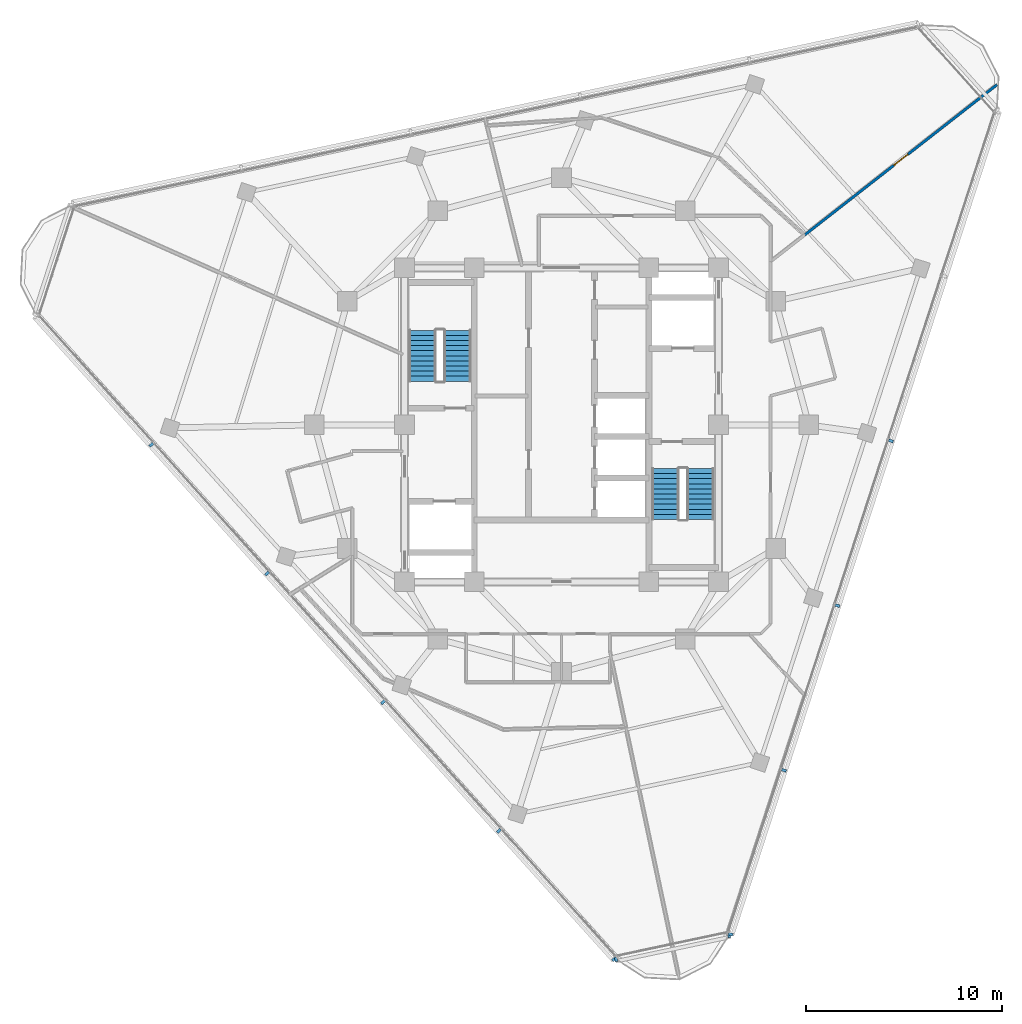
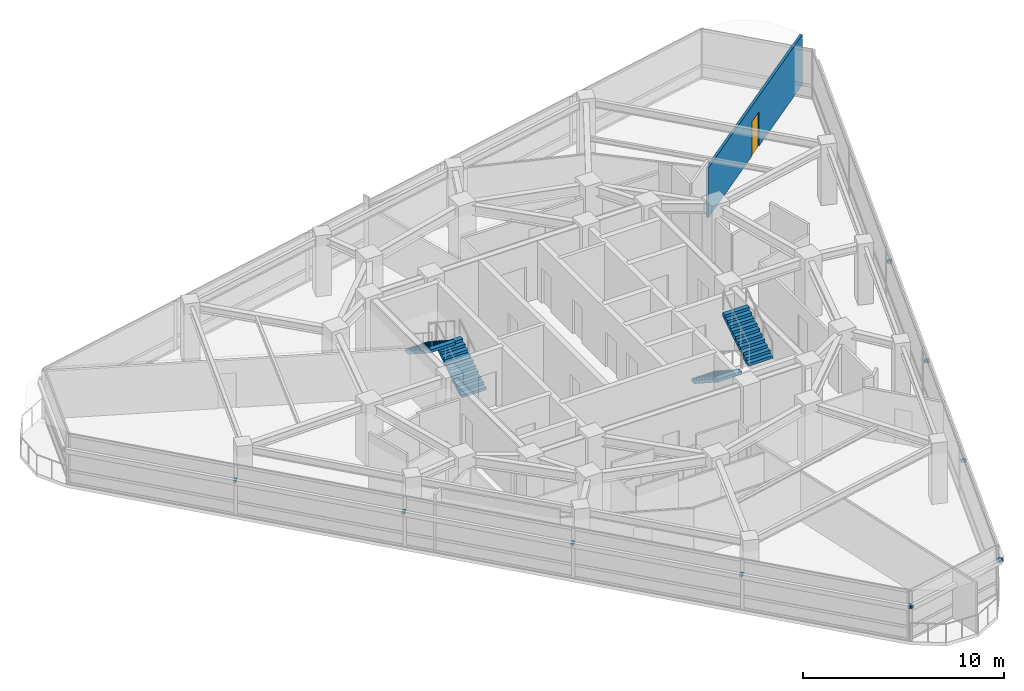
# One storey, part 10 of 15: 11 discrete accessories, 4 stair flights, 1 door, 1 wall, 1 opening, 2 elements without a shape of their own.
"""IFC4 building model written with IfcOpenShell, lengths in metres."""

from ifc_helpers import new_model, si_unit, direction, frame, frame_2d, origin, origin_2d, place, context, subcontext, project, spatial, polyline, rectangle, outline, extrude, material, layer, layer_set, type_object, element, fill, aggregate, save


model = new_model("IFC4")

# Units and contexts
model_context = context("Model", 3, precision=1e-05, world=origin(), true_north=direction((0.0, 1.0)))
body_context = subcontext(model_context, "Body", "Model", "MODEL_VIEW")
ifc_project = project(units=[si_unit("LENGTHUNIT", "METRE"), si_unit("AREAUNIT", "SQUARE_METRE"), si_unit("VOLUMEUNIT", "CUBIC_METRE"), si_unit("PLANEANGLEUNIT", "RADIAN"), si_unit("MASSUNIT", "GRAM", prefix="KILO")], contexts=[model_context])

# Site, building, storey
site_placement = place(None, origin())
site = spatial("IfcSite", under=ifc_project, at=site_placement, CompositionType="ELEMENT")
building_placement = place(site_placement, origin())
building = spatial("IfcBuilding", under=site, at=building_placement, Name="Terralouvre Media Tower", CompositionType="ELEMENT")
storey_placement = place(building_placement, frame((0.0, 0.0, 286.89990234375)))
storey = spatial("IfcBuildingStorey", under=building, at=storey_placement, Name="L74", CompositionType="ELEMENT", Elevation=286.89990234375)

# Wall, opening, door
ifc_material_1 = material(Name="Fire-rated gypsum board drywall partition")
ifc_layer = layer(ifc_material_1, 0.135009765625, Name="Newsroom Acoustic Partition PT-135")
ifc_layer_set = layer_set([ifc_layer], Name="Fire-rated gypsum board drywall partition")
wall_type = type_object("IfcWallType", Name="Newsroom Acoustic Partition PT-135", PredefinedType="PARTITIONING", material=ifc_layer_set)
wall_placement = place(storey_placement, frame((22.1923828125, 17.33837890625, 0.0), z_axis=(0.0, 0.0, 1.0), x_axis=(-0.788006224946, -0.615667271703, 0.0)))
wall = element("IfcWall", 1, at=wall_placement, inside=storey, type_object=wall_type, Name="L74 Interior Partition 028", PredefinedType="PARTITIONING", context=body_context, shape_type="SweptSolid", body=[
    extrude(rectangle(XDim=12.44091796875, YDim=0.135009765625, at=frame_2d((6.220458984375, 0.0))), origin(), (0.0, 0.0, 1.0), 3.03515625),
])
opening_placement = place(wall_placement, frame((5.760498046875, 0.0, 0.0)))
opening = element("IfcOpeningElement", 2, at=opening_placement, cuts=wall, Name="Opening ID-03-92X210", PredefinedType="OPENING", context=body_context, shape_type="SweptSolid", body=[
    extrude(rectangle(XDim=0.919921875, YDim=2.10009765625, at=frame_2d((0.4599609375, 1.050048828125))), frame((0.0, 0.077392578125, 0.0), z_axis=(0.0, -1.0, 0.0), x_axis=(1.0, 0.0, 0.0)), (0.0, 0.0, 1.0), 0.155029296875),
])
ifc_material_2 = material(Name="Engineered hardwood acoustic timber leaf", Category="wood")
door_type = type_object("IfcDoorType", Name="Accessible Restroom and Suite Door ID-03 (920x2100)", OperationType="NOTDEFINED", PredefinedType="DOOR", material=ifc_material_2)
door_placement = place(opening_placement, origin())
door = element("IfcDoor", 3, at=door_placement, inside=storey, type_object=door_type, Name="L74 Digital Editing Lecture Room 6 Door", OperationType="SINGLE_SWING_LEFT", OverallHeight=2.10009765625, OverallWidth=0.919921875, PredefinedType="DOOR", context=body_context, shape_type="SweptSolid", body=[
    extrude(rectangle(XDim=0.919921875, YDim=2.10009765625, at=frame_2d((0.4599609375, 1.050048828125))), frame((0.0, 0.02490234375, 0.0), z_axis=(0.0, -1.0, 0.0), x_axis=(1.0, 0.0, 0.0)), (0.0, 0.0, 1.0), 0.050048828125),
])
fill(opening, door)

# Stair, stair flights
ifc_material_3 = material(Name="Concrete C45/55", Category="concrete")
stair_type_1 = type_object("IfcStairType", Name="Dogleg Stair Assembly ST-01", PredefinedType="HALF_TURN_STAIR", material=ifc_material_3)
stair_1_placement = place(storey_placement, origin())
stair_1 = element("IfcStair", 4, at=stair_1_placement, inside=storey, type_object=stair_type_1, Name="L74 Core Pressurised Exit Stair ST-01", PredefinedType="HALF_TURN_STAIR")
ifc_material_4 = material(Name="Concrete C45/55", Category="concrete")
stair_flight_type = type_object("IfcStairFlightType", Name="Reinforced Concrete Stair Flight SF-RC1", PredefinedType="STRAIGHT", material=ifc_material_4)
stair_flight_1_placement = place(storey_placement, frame((-5.300048828125, 2.219970703125, 0.0), z_axis=(0.0, 0.0, 1.0), x_axis=(0.0, 1.0, 0.0)))
stair_flight_1 = element("IfcStairFlight", 5, at=stair_flight_1_placement, type_object=stair_flight_type, Name="ST-01 flight 1", NumberOfRisers=11, NumberOfTreads=10, PredefinedType="STRAIGHT", RiserHeight=0.168181818, TreadLength=0.26, context=body_context, shape_type="SweptSolid", body=[
    extrude(outline(polyline([(0.0, 0.0), (0.0, 0.168212890625), (0.260009765625, 0.168212890625), (0.260009765625, 0.33642578125), (0.52001953125, 0.33642578125), (0.52001953125, 0.504638671875), (0.780029296875, 0.504638671875), (0.780029296875, 0.672607421875), (1.0400390625, 0.672607421875), (1.0400390625, 0.8408203125), (1.300048828125, 0.8408203125), (1.300048828125, 1.009033203125), (1.56005859375, 1.009033203125), (1.56005859375, 1.17724609375), (1.820068359375, 1.17724609375), (1.820068359375, 1.345458984375), (2.080078125, 1.345458984375), (2.080078125, 1.513671875), (2.340087890625, 1.513671875), (2.340087890625, 1.681884765625), (2.60009765625, 1.681884765625), (2.60009765625, 1.85009765625), (2.60009765625, 1.503173828125), (0.27587890625, 0.0), (0.0, 0.0)])), frame((0.0, 0.699951171875, 0.0), z_axis=(0.0, -1.0, 0.0), x_axis=(1.0, 0.0, 0.0)), (0.0, 0.0, 1.0), 1.39990234375),
])
stair_flight_2_placement = place(storey_placement, frame((-7.080078125, 4.820068359375, 1.85009765625), z_axis=(0.0, 0.0, 1.0), x_axis=(0.0, -1.0, 0.0)))
stair_flight_2 = element("IfcStairFlight", 6, at=stair_flight_2_placement, type_object=stair_flight_type, Name="ST-01 flight 2", NumberOfRisers=11, NumberOfTreads=10, PredefinedType="STRAIGHT", RiserHeight=0.168181818, TreadLength=0.26, context=body_context, shape_type="SweptSolid", body=[
    extrude(outline(polyline([(0.0, 0.0), (0.0, 0.168212890625), (0.260009765625, 0.168212890625), (0.260009765625, 0.33642578125), (0.52001953125, 0.33642578125), (0.52001953125, 0.504638671875), (0.780029296875, 0.504638671875), (0.780029296875, 0.672607421875), (1.0400390625, 0.672607421875), (1.0400390625, 0.8408203125), (1.300048828125, 0.8408203125), (1.300048828125, 1.009033203125), (1.56005859375, 1.009033203125), (1.56005859375, 1.17724609375), (1.820068359375, 1.17724609375), (1.820068359375, 1.345458984375), (2.080078125, 1.345458984375), (2.080078125, 1.513671875), (2.340087890625, 1.513671875), (2.340087890625, 1.681884765625), (2.60009765625, 1.681884765625), (2.60009765625, 1.85009765625), (2.60009765625, 1.503173828125), (0.27587890625, 0.0), (0.0, 0.0)])), frame((0.0, 0.699951171875, 0.0), z_axis=(0.0, -1.0, 0.0), x_axis=(1.0, 0.0, 0.0)), (0.0, 0.0, 1.0), 1.39990234375),
])
aggregate(stair_1, [stair_flight_1, stair_flight_2])

ifc_material_5 = material(Name="Concrete C45/55", Category="concrete")
stair_type_2 = type_object("IfcStairType", Name="Dogleg Stair Assembly ST-02", PredefinedType="HALF_TURN_STAIR", material=ifc_material_5)
stair_2_placement = place(storey_placement, origin())
stair_2 = element("IfcStair", 7, at=stair_2_placement, inside=storey, type_object=stair_type_2, Name="L74 Core Pressurised Exit Stair ST-02", PredefinedType="HALF_TURN_STAIR")
stair_flight_3_placement = place(storey_placement, frame((5.300048828125, -2.219970703125, 0.0), z_axis=(0.0, 0.0, 1.0), x_axis=(0.0, -1.0, 0.0)))
stair_flight_3 = element("IfcStairFlight", 8, at=stair_flight_3_placement, type_object=stair_flight_type, Name="ST-02 flight 1", NumberOfRisers=11, NumberOfTreads=10, PredefinedType="STRAIGHT", RiserHeight=0.168181818, TreadLength=0.26, context=body_context, shape_type="SweptSolid", body=[
    extrude(outline(polyline([(0.0, 0.0), (0.0, 0.168212890625), (0.260009765625, 0.168212890625), (0.260009765625, 0.33642578125), (0.52001953125, 0.33642578125), (0.52001953125, 0.504638671875), (0.780029296875, 0.504638671875), (0.780029296875, 0.672607421875), (1.0400390625, 0.672607421875), (1.0400390625, 0.8408203125), (1.300048828125, 0.8408203125), (1.300048828125, 1.009033203125), (1.56005859375, 1.009033203125), (1.56005859375, 1.17724609375), (1.820068359375, 1.17724609375), (1.820068359375, 1.345458984375), (2.080078125, 1.345458984375), (2.080078125, 1.513671875), (2.340087890625, 1.513671875), (2.340087890625, 1.681884765625), (2.60009765625, 1.681884765625), (2.60009765625, 1.85009765625), (2.60009765625, 1.503173828125), (0.27587890625, 0.0), (0.0, 0.0)])), frame((0.0, 0.699951171875, 0.0), z_axis=(0.0, -1.0, 0.0), x_axis=(1.0, 0.0, 0.0)), (0.0, 0.0, 1.0), 1.39990234375),
])
stair_flight_4_placement = place(storey_placement, frame((7.080078125, -4.820068359375, 1.85009765625), z_axis=(0.0, 0.0, 1.0), x_axis=(0.0, 1.0, 0.0)))
stair_flight_4 = element("IfcStairFlight", 9, at=stair_flight_4_placement, type_object=stair_flight_type, Name="ST-02 flight 2", NumberOfRisers=11, NumberOfTreads=10, PredefinedType="STRAIGHT", RiserHeight=0.168181818, TreadLength=0.26, context=body_context, shape_type="SweptSolid", body=[
    extrude(outline(polyline([(0.0, 0.0), (0.0, 0.168212890625), (0.260009765625, 0.168212890625), (0.260009765625, 0.33642578125), (0.52001953125, 0.33642578125), (0.52001953125, 0.504638671875), (0.780029296875, 0.504638671875), (0.780029296875, 0.672607421875), (1.0400390625, 0.672607421875), (1.0400390625, 0.8408203125), (1.300048828125, 0.8408203125), (1.300048828125, 1.009033203125), (1.56005859375, 1.009033203125), (1.56005859375, 1.17724609375), (1.820068359375, 1.17724609375), (1.820068359375, 1.345458984375), (2.080078125, 1.345458984375), (2.080078125, 1.513671875), (2.340087890625, 1.513671875), (2.340087890625, 1.681884765625), (2.60009765625, 1.681884765625), (2.60009765625, 1.85009765625), (2.60009765625, 1.503173828125), (0.27587890625, 0.0), (0.0, 0.0)])), frame((0.0, 0.699951171875, 0.0), z_axis=(0.0, -1.0, 0.0), x_axis=(1.0, 0.0, 0.0)), (0.0, 0.0, 1.0), 1.39990234375),
])
aggregate(stair_2, [stair_flight_3, stair_flight_4])

# Discrete accessories
ifc_material_6 = material(Name="Anodised extruded aluminium 6063-T6", Category="aluminium")
discrete_accessory_type = type_object("IfcDiscreteAccessoryType", Name="Mullion Stand-Off Baguette Fixing Bracket BK-01", PredefinedType="BRACKET", material=ifc_material_6)
for number, where, z_axis, x_axis, name in (
    (10, (8.617431640625, -25.955810546875, 2.07421875), (0.0, 0.0, 1.0), (0.309017021946, 0.951056507337, 0.0), "CW-L74-F0 Baguette Outrigger Bracket 1.01"),
    (11, (11.33251953125, -17.599365234375, 2.07421875), (0.0, 0.0, 1.0), (0.309017021946, 0.951056507337, 0.0), "CW-L74-F0 Baguette Outrigger Bracket 1.02"),
    (12, (14.059326171875, -9.207275390625, 2.07421875), (0.0, 0.0, 1.0), (0.309017021946, 0.951056507337, 0.0), "CW-L74-F0 Baguette Outrigger Bracket 1.03"),
    (13, (16.7861328125, -0.815185546875, 2.07421875), (0.0, 0.0, 1.0), (0.309017021946, 0.951056507337, 0.0), "CW-L74-F0 Baguette Outrigger Bracket 1.04"),
    (14, (-20.90771484375, -1.0146484375, 2.07421875), (0.0, 0.0, 1.0), (0.669130573531, -0.743144855036, 0.0), "CW-L74-F2 Baguette Outrigger Bracket 1.02"),
    (15, (-15.00341796875, -7.572021484375, 2.07421875), (0.0, 0.0, 1.0), (0.669130573531, -0.743144855036, 0.0), "CW-L74-F2 Baguette Outrigger Bracket 1.03"),
    (16, (-9.098876953125, -14.129638671875, 2.07421875), (0.0, 0.0, 1.0), (0.669130573531, -0.743144855036, 0.0), "CW-L74-F2 Baguette Outrigger Bracket 1.04"),
    (17, (-3.194580078125, -20.68701171875, 2.07421875), (0.0, 0.0, 1.0), (0.669130573531, -0.743144855036, 0.0), "CW-L74-F2 Baguette Outrigger Bracket 1.05"),
    (18, (2.684814453125, -27.216796875, 2.07421875), (0.0, 0.0, 1.0), (0.669130573531, -0.743144855036, 0.0), "CW-L74-F2 Baguette Outrigger Bracket 1.06"),
    (19, (2.780517578125, -27.229736328125, 2.07421875), (0.0, 0.0, 1.0), (0.978147609922, 0.207911647592, 0.0), "CW-L74-C0 Baguette Outrigger Bracket 1.01"),
    (20, (8.53515625, -26.00634765625, 2.07421875), (0.0, 0.0, 1.0), (0.978147609922, 0.207911647592, 0.0), "CW-L74-C0 Baguette Outrigger Bracket 1.02"),
):
    element("IfcDiscreteAccessory", number, at=place(storey_placement, frame(where, z_axis=z_axis, x_axis=x_axis)), inside=storey, type_object=discrete_accessory_type, Name=name, PredefinedType="BRACKET", context=body_context, shape_type="SweptSolid", body=[
        extrude(rectangle(XDim=0.139892578125, YDim=0.239990234375, at=origin_2d()), origin(), (0.0, 0.0, 1.0), 0.179931640625),
    ])

save(model, "model.ifc")
